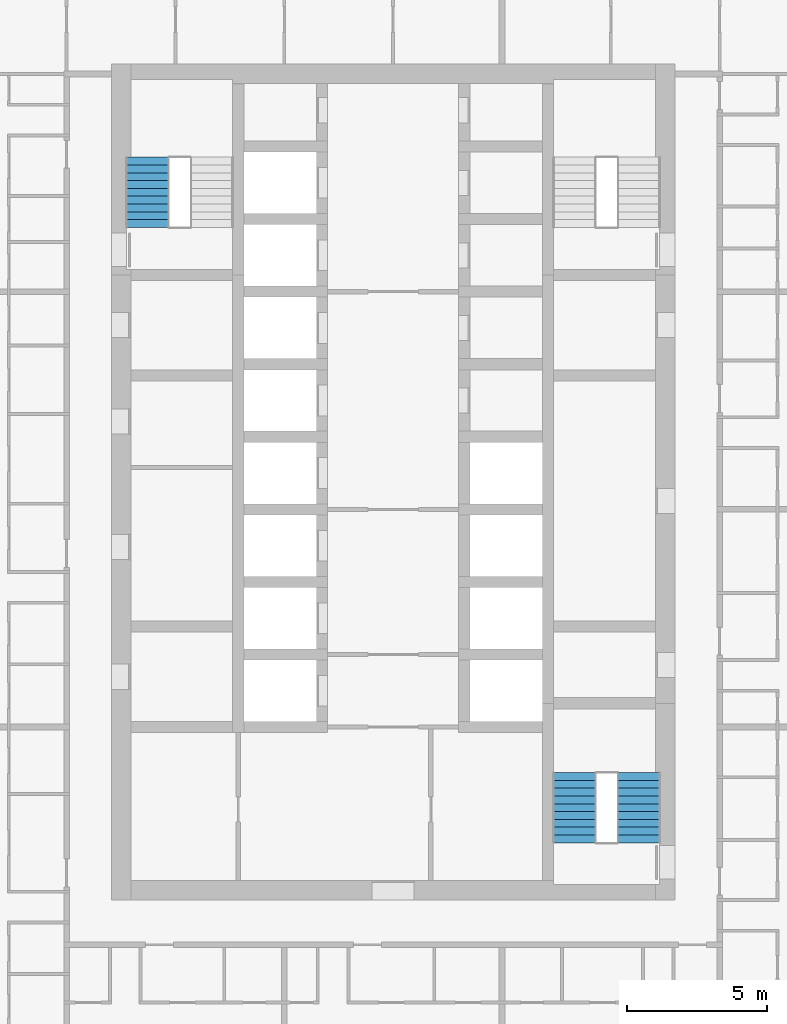
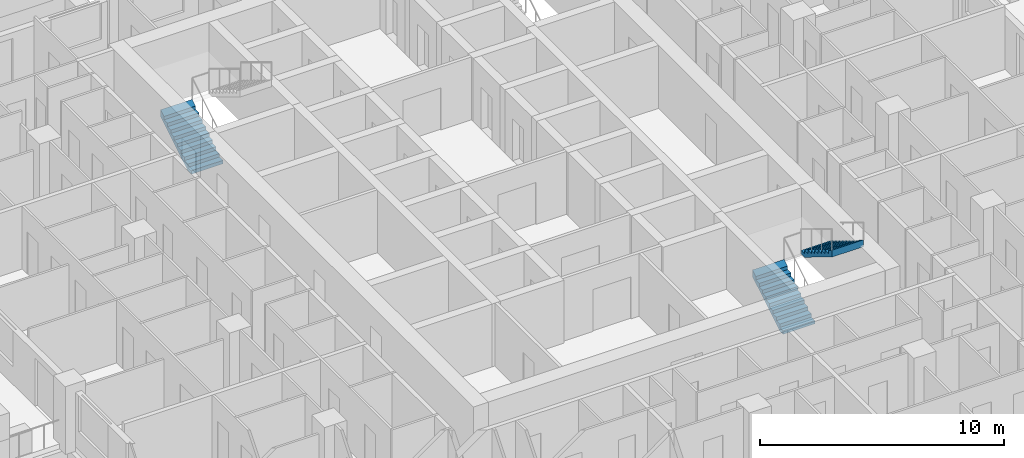
# One storey, part 15 of 18: 3 stair flights, 2 elements without a shape of their own.
"""IFC4 building model written with IfcOpenShell, lengths in metres."""

from ifc_helpers import new_model, si_unit, direction, frame, origin, place, context, subcontext, project, spatial, triangles, material, type_object, element, aggregate, save


model = new_model("IFC4")

# Units and contexts
model_context = context("Model", 3, precision=1e-05, world=origin(), true_north=direction((0.0, 1.0)))
body_context = subcontext(model_context, "Body", "Model", "MODEL_VIEW")
ifc_project = project(units=[si_unit("LENGTHUNIT", "METRE"), si_unit("AREAUNIT", "SQUARE_METRE"), si_unit("VOLUMEUNIT", "CUBIC_METRE"), si_unit("PLANEANGLEUNIT", "RADIAN"), si_unit("MASSUNIT", "GRAM", prefix="KILO")], contexts=[model_context])

# Site, building, storey
site_placement = place(None, origin())
site = spatial("IfcSite", under=ifc_project, at=site_placement, CompositionType="ELEMENT")
building_placement = place(site_placement, origin())
building = spatial("IfcBuilding", under=site, at=building_placement, Name="Ludao Terraces", CompositionType="ELEMENT")
storey_placement = place(building_placement, frame((0.0, 0.0, 75.0)))
storey = spatial("IfcBuildingStorey", under=building, at=storey_placement, Name="L20", CompositionType="ELEMENT", Elevation=75.0)

# Stair, stair flight
ifc_material = material(Name="Concrete C40", Category="concrete")
stair_type = type_object("IfcStairType", Name="INT Stair", PredefinedType="HALF_TURN_STAIR", material=ifc_material)
stair_1_placement = place(storey_placement, origin())
stair_1 = element("IfcStair", 1, at=stair_1_placement, inside=storey, type_object=stair_type, Name="EXIT STAIR 1", PredefinedType="HALF_TURN_STAIR")
stair_flight_type = type_object("IfcStairFlightType", Name="INT Stair flight", PredefinedType="STRAIGHT", material=ifc_material)
stair_flight_1_placement = place(storey_placement, frame((76.199951171875, 79.0, 0.0), z_axis=(0.0, 0.0, 1.0), x_axis=(0.0, 1.0, 0.0)))
stair_flight_1 = element("IfcStairFlight", 2, at=stair_flight_1_placement, type_object=stair_flight_type, Name="ST1 flight 1", NumberOfRisers=10, NumberOfTreads=9, PredefinedType="STRAIGHT", RiserHeight=0.17, TreadLength=0.28, context=body_context, shape_type="Tessellation", body=[
    triangles([(0.0, -0.75, 0.0), (0.0, -0.5, 0.0), (0.0, -0.25, 0.0), (0.0, 0.0, 0.0), (0.0, 0.25, 0.0), (0.0, 0.5, 0.0), (0.0, 0.75, 0.0), (0.0, -0.75, 0.169921875), (0.0, -0.5, 0.169921875), (0.0, -0.25, 0.169921875), (0.0, 0.0, 0.169921875), (0.0, 0.25, 0.169921875), (0.0, 0.5, 0.169921875), (0.0, 0.75, 0.169921875), (0.280029296875, -0.75, 0.169921875), (0.280029296875, -0.5, 0.169921875), (0.280029296875, -0.25, 0.169921875), (0.280029296875, 0.0, 0.169921875), (0.280029296875, 0.25, 0.169921875), (0.280029296875, 0.5, 0.169921875), (0.280029296875, 0.75, 0.169921875), (0.280029296875, -0.75, 0.340087890625), (0.280029296875, -0.5, 0.340087890625), (0.280029296875, -0.25, 0.340087890625), (0.280029296875, 0.0, 0.340087890625), (0.280029296875, 0.25, 0.340087890625), (0.280029296875, 0.5, 0.340087890625), (0.280029296875, 0.75, 0.340087890625), (0.56005859375, -0.75, 0.340087890625), (0.56005859375, -0.5, 0.340087890625), (0.56005859375, -0.25, 0.340087890625), (0.56005859375, 0.0, 0.340087890625), (0.56005859375, 0.25, 0.340087890625), (0.56005859375, 0.5, 0.340087890625), (0.56005859375, 0.75, 0.340087890625), (0.56005859375, -0.75, 0.510009765625), (0.56005859375, -0.5, 0.510009765625), (0.56005859375, -0.25, 0.510009765625), (0.56005859375, 0.0, 0.510009765625), (0.56005859375, 0.25, 0.510009765625), (0.56005859375, 0.5, 0.510009765625), (0.56005859375, 0.75, 0.510009765625), (0.840087890625, -0.75, 0.510009765625), (0.840087890625, -0.5, 0.510009765625), (0.840087890625, -0.25, 0.510009765625), (0.840087890625, 0.0, 0.510009765625), (0.840087890625, 0.25, 0.510009765625), (0.840087890625, 0.5, 0.510009765625), (0.840087890625, 0.75, 0.510009765625), (0.840087890625, -0.75, 0.679931640625), (0.840087890625, -0.5, 0.679931640625), (0.840087890625, -0.25, 0.679931640625), (0.840087890625, 0.0, 0.679931640625), (0.840087890625, 0.25, 0.679931640625), (0.840087890625, 0.5, 0.679931640625), (0.840087890625, 0.75, 0.679931640625), (1.1201171875, -0.75, 0.679931640625), (1.1201171875, -0.5, 0.679931640625), (1.1201171875, -0.25, 0.679931640625), (1.1201171875, 0.0, 0.679931640625), (1.1201171875, 0.25, 0.679931640625), (1.1201171875, 0.5, 0.679931640625), (1.1201171875, 0.75, 0.679931640625), (1.1201171875, -0.75, 0.85009765625), (1.1201171875, -0.5, 0.85009765625), (1.1201171875, -0.25, 0.85009765625), (1.1201171875, 0.0, 0.85009765625), (1.1201171875, 0.25, 0.85009765625), (1.1201171875, 0.5, 0.85009765625), (1.1201171875, 0.75, 0.85009765625), (1.39990234375, -0.75, 0.85009765625), (1.39990234375, -0.5, 0.85009765625), (1.39990234375, -0.25, 0.85009765625), (1.39990234375, 0.0, 0.85009765625), (1.39990234375, 0.25, 0.85009765625), (1.39990234375, 0.5, 0.85009765625), (1.39990234375, 0.75, 0.85009765625), (1.39990234375, -0.75, 1.02001953125), (1.39990234375, -0.5, 1.02001953125), (1.39990234375, -0.25, 1.02001953125), (1.39990234375, 0.0, 1.02001953125), (1.39990234375, 0.25, 1.02001953125), (1.39990234375, 0.5, 1.02001953125), (1.39990234375, 0.75, 1.02001953125), (1.679931640625, -0.75, 1.02001953125), (1.679931640625, -0.5, 1.02001953125), (1.679931640625, -0.25, 1.02001953125), (1.679931640625, 0.0, 1.02001953125), (1.679931640625, 0.25, 1.02001953125), (1.679931640625, 0.5, 1.02001953125), (1.679931640625, 0.75, 1.02001953125), (1.679931640625, -0.75, 1.18994140625), (1.679931640625, -0.5, 1.18994140625), (1.679931640625, -0.25, 1.18994140625), (1.679931640625, 0.0, 1.18994140625), (1.679931640625, 0.25, 1.18994140625), (1.679931640625, 0.5, 1.18994140625), (1.679931640625, 0.75, 1.18994140625), (1.9599609375, -0.75, 1.18994140625), (1.9599609375, -0.5, 1.18994140625), (1.9599609375, -0.25, 1.18994140625), (1.9599609375, 0.0, 1.18994140625), (1.9599609375, 0.25, 1.18994140625), (1.9599609375, 0.5, 1.18994140625), (1.9599609375, 0.75, 1.18994140625), (1.9599609375, -0.75, 1.360107421875), (1.9599609375, -0.5, 1.360107421875), (1.9599609375, -0.25, 1.360107421875), (1.9599609375, 0.0, 1.360107421875), (1.9599609375, 0.25, 1.360107421875), (1.9599609375, 0.5, 1.360107421875), (1.9599609375, 0.75, 1.360107421875), (2.239990234375, -0.75, 1.360107421875), (2.239990234375, -0.5, 1.360107421875), (2.239990234375, -0.25, 1.360107421875), (2.239990234375, 0.0, 1.360107421875), (2.239990234375, 0.25, 1.360107421875), (2.239990234375, 0.5, 1.360107421875), (2.239990234375, 0.75, 1.360107421875), (2.239990234375, -0.75, 1.530029296875), (2.239990234375, -0.5, 1.530029296875), (2.239990234375, -0.25, 1.530029296875), (2.239990234375, 0.0, 1.530029296875), (2.239990234375, 0.25, 1.530029296875), (2.239990234375, 0.5, 1.530029296875), (2.239990234375, 0.75, 1.530029296875), (2.52001953125, -0.75, 1.699951171875), (2.52001953125, -0.5, 1.699951171875), (2.52001953125, -0.25, 1.699951171875), (2.52001953125, 0.0, 1.699951171875), (2.52001953125, 0.25, 1.699951171875), (2.52001953125, 0.5, 1.699951171875), (2.52001953125, 0.75, 1.699951171875), (2.52001953125, -0.75, 1.354736328125), (2.52001953125, -0.5, 1.354736328125), (2.52001953125, -0.25, 1.354736328125), (2.52001953125, 0.0, 1.354736328125), (2.52001953125, 0.25, 1.354736328125), (2.52001953125, 0.5, 1.354736328125), (2.52001953125, 0.75, 1.354736328125), (0.288818359375, -0.75, 0.0), (0.288818359375, -0.5, 0.0), (0.288818359375, -0.25, 0.0), (0.288818359375, 0.0, 0.0), (0.288818359375, 0.25, 0.0), (0.288818359375, 0.5, 0.0), (0.288818359375, 0.75, 0.0)], [[1, 141, 134], [7, 140, 147], [134, 127, 120], [140, 126, 133], [134, 120, 113], [140, 119, 126], [134, 113, 106], [140, 112, 119], [134, 106, 99], [140, 105, 112], [99, 92, 85], [105, 91, 98], [134, 99, 85], [140, 91, 105], [85, 78, 71], [91, 77, 84], [134, 85, 71], [140, 77, 91], [71, 64, 57], [77, 63, 70], [134, 71, 57], [140, 63, 77], [57, 50, 43], [63, 49, 56], [134, 57, 43], [140, 49, 63], [43, 36, 29], [49, 35, 42], [134, 43, 29], [140, 35, 49], [29, 22, 15], [35, 21, 28], [134, 29, 15], [140, 21, 35], [1, 134, 15], [7, 21, 140], [15, 8, 1], [21, 7, 14], [1, 9, 2], [1, 8, 9], [2, 10, 3], [2, 9, 10], [3, 11, 4], [3, 10, 11], [4, 12, 5], [4, 11, 12], [5, 13, 6], [5, 12, 13], [6, 14, 7], [6, 13, 14], [8, 16, 9], [8, 15, 16], [9, 17, 10], [9, 16, 17], [10, 18, 11], [10, 17, 18], [11, 19, 12], [11, 18, 19], [12, 20, 13], [12, 19, 20], [13, 21, 14], [13, 20, 21], [15, 23, 16], [15, 22, 23], [16, 24, 17], [16, 23, 24], [17, 25, 18], [17, 24, 25], [18, 26, 19], [18, 25, 26], [19, 27, 20], [19, 26, 27], [20, 28, 21], [20, 27, 28], [22, 30, 23], [22, 29, 30], [23, 31, 24], [23, 30, 31], [24, 32, 25], [24, 31, 32], [25, 33, 26], [25, 32, 33], [26, 34, 27], [26, 33, 34], [27, 35, 28], [27, 34, 35], [29, 37, 30], [29, 36, 37], [30, 38, 31], [30, 37, 38], [31, 39, 32], [31, 38, 39], [32, 40, 33], [32, 39, 40], [33, 41, 34], [33, 40, 41], [34, 42, 35], [34, 41, 42], [36, 44, 37], [36, 43, 44], [37, 45, 38], [37, 44, 45], [38, 46, 39], [38, 45, 46], [39, 47, 40], [39, 46, 47], [40, 48, 41], [40, 47, 48], [41, 49, 42], [41, 48, 49], [43, 51, 44], [43, 50, 51], [44, 52, 45], [44, 51, 52], [45, 53, 46], [45, 52, 53], [46, 54, 47], [46, 53, 54], [47, 55, 48], [47, 54, 55], [48, 56, 49], [48, 55, 56], [50, 58, 51], [50, 57, 58], [51, 59, 52], [51, 58, 59], [52, 60, 53], [52, 59, 60], [53, 61, 54], [53, 60, 61], [54, 62, 55], [54, 61, 62], [55, 63, 56], [55, 62, 63], [57, 65, 58], [57, 64, 65], [58, 66, 59], [58, 65, 66], [59, 67, 60], [59, 66, 67], [60, 68, 61], [60, 67, 68], [61, 69, 62], [61, 68, 69], [62, 70, 63], [62, 69, 70], [64, 72, 65], [64, 71, 72], [65, 73, 66], [65, 72, 73], [66, 74, 67], [66, 73, 74], [67, 75, 68], [67, 74, 75], [68, 76, 69], [68, 75, 76], [69, 77, 70], [69, 76, 77], [71, 79, 72], [71, 78, 79], [72, 80, 73], [72, 79, 80], [73, 81, 74], [73, 80, 81], [74, 82, 75], [74, 81, 82], [75, 83, 76], [75, 82, 83], [76, 84, 77], [76, 83, 84], [78, 86, 79], [78, 85, 86], [79, 87, 80], [79, 86, 87], [80, 88, 81], [80, 87, 88], [81, 89, 82], [81, 88, 89], [82, 90, 83], [82, 89, 90], [83, 91, 84], [83, 90, 91], [85, 93, 86], [85, 92, 93], [86, 94, 87], [86, 93, 94], [87, 95, 88], [87, 94, 95], [88, 96, 89], [88, 95, 96], [89, 97, 90], [89, 96, 97], [90, 98, 91], [90, 97, 98], [92, 100, 93], [92, 99, 100], [93, 101, 94], [93, 100, 101], [94, 102, 95], [94, 101, 102], [95, 103, 96], [95, 102, 103], [96, 104, 97], [96, 103, 104], [97, 105, 98], [97, 104, 105], [99, 107, 100], [99, 106, 107], [100, 108, 101], [100, 107, 108], [101, 109, 102], [101, 108, 109], [102, 110, 103], [102, 109, 110], [103, 111, 104], [103, 110, 111], [104, 112, 105], [104, 111, 112], [106, 114, 107], [106, 113, 114], [107, 115, 108], [107, 114, 115], [108, 116, 109], [108, 115, 116], [109, 117, 110], [109, 116, 117], [110, 118, 111], [110, 117, 118], [111, 119, 112], [111, 118, 119], [113, 121, 114], [113, 120, 121], [114, 122, 115], [114, 121, 122], [115, 123, 116], [115, 122, 123], [116, 124, 117], [116, 123, 124], [117, 125, 118], [117, 124, 125], [118, 126, 119], [118, 125, 126], [120, 128, 121], [120, 127, 128], [121, 129, 122], [121, 128, 129], [122, 130, 123], [122, 129, 130], [123, 131, 124], [123, 130, 131], [124, 132, 125], [124, 131, 132], [125, 133, 126], [125, 132, 133], [127, 135, 128], [127, 134, 135], [128, 136, 129], [128, 135, 136], [129, 137, 130], [129, 136, 137], [130, 138, 131], [130, 137, 138], [131, 139, 132], [131, 138, 139], [132, 140, 133], [132, 139, 140], [134, 142, 135], [134, 141, 142], [135, 143, 136], [135, 142, 143], [136, 144, 137], [136, 143, 144], [137, 145, 138], [137, 144, 145], [138, 146, 139], [138, 145, 146], [139, 147, 140], [139, 146, 147], [141, 2, 142], [141, 1, 2], [142, 3, 143], [142, 2, 3], [143, 4, 144], [143, 3, 4], [144, 5, 145], [144, 4, 5], [145, 6, 146], [145, 5, 6], [146, 7, 147], [146, 6, 7]], closed=True),
])
aggregate(stair_1, [stair_flight_1])

# Stair, stair flights
stair_2_placement = place(storey_placement, origin())
stair_2 = element("IfcStair", 3, at=stair_2_placement, inside=storey, type_object=stair_type, Name="EXIT STAIR 3", PredefinedType="HALF_TURN_STAIR")
stair_flight_2_placement = place(storey_placement, frame((91.5, 56.949951171875, 0.0), z_axis=(0.0, 0.0, 1.0), x_axis=(0.0, 1.0, 0.0)))
stair_flight_2 = element("IfcStairFlight", 4, at=stair_flight_2_placement, type_object=stair_flight_type, Name="ST3 flight 1", NumberOfRisers=10, NumberOfTreads=9, PredefinedType="STRAIGHT", RiserHeight=0.17, TreadLength=0.28, context=body_context, shape_type="Tessellation", body=[
    triangles([(0.0, -0.75, 0.0), (0.0, -0.5, 0.0), (0.0, -0.25, 0.0), (0.0, 0.0, 0.0), (0.0, 0.25, 0.0), (0.0, 0.5, 0.0), (0.0, 0.75, 0.0), (0.0, -0.75, 0.169921875), (0.0, -0.5, 0.169921875), (0.0, -0.25, 0.169921875), (0.0, 0.0, 0.169921875), (0.0, 0.25, 0.169921875), (0.0, 0.5, 0.169921875), (0.0, 0.75, 0.169921875), (0.280029296875, -0.75, 0.169921875), (0.280029296875, -0.5, 0.169921875), (0.280029296875, -0.25, 0.169921875), (0.280029296875, 0.0, 0.169921875), (0.280029296875, 0.25, 0.169921875), (0.280029296875, 0.5, 0.169921875), (0.280029296875, 0.75, 0.169921875), (0.280029296875, -0.75, 0.340087890625), (0.280029296875, -0.5, 0.340087890625), (0.280029296875, -0.25, 0.340087890625), (0.280029296875, 0.0, 0.340087890625), (0.280029296875, 0.25, 0.340087890625), (0.280029296875, 0.5, 0.340087890625), (0.280029296875, 0.75, 0.340087890625), (0.56005859375, -0.75, 0.340087890625), (0.56005859375, -0.5, 0.340087890625), (0.56005859375, -0.25, 0.340087890625), (0.56005859375, 0.0, 0.340087890625), (0.56005859375, 0.25, 0.340087890625), (0.56005859375, 0.5, 0.340087890625), (0.56005859375, 0.75, 0.340087890625), (0.56005859375, -0.75, 0.510009765625), (0.56005859375, -0.5, 0.510009765625), (0.56005859375, -0.25, 0.510009765625), (0.56005859375, 0.0, 0.510009765625), (0.56005859375, 0.25, 0.510009765625), (0.56005859375, 0.5, 0.510009765625), (0.56005859375, 0.75, 0.510009765625), (0.840087890625, -0.75, 0.510009765625), (0.840087890625, -0.5, 0.510009765625), (0.840087890625, -0.25, 0.510009765625), (0.840087890625, 0.0, 0.510009765625), (0.840087890625, 0.25, 0.510009765625), (0.840087890625, 0.5, 0.510009765625), (0.840087890625, 0.75, 0.510009765625), (0.840087890625, -0.75, 0.679931640625), (0.840087890625, -0.5, 0.679931640625), (0.840087890625, -0.25, 0.679931640625), (0.840087890625, 0.0, 0.679931640625), (0.840087890625, 0.25, 0.679931640625), (0.840087890625, 0.5, 0.679931640625), (0.840087890625, 0.75, 0.679931640625), (1.1201171875, -0.75, 0.679931640625), (1.1201171875, -0.5, 0.679931640625), (1.1201171875, -0.25, 0.679931640625), (1.1201171875, 0.0, 0.679931640625), (1.1201171875, 0.25, 0.679931640625), (1.1201171875, 0.5, 0.679931640625), (1.1201171875, 0.75, 0.679931640625), (1.1201171875, -0.75, 0.85009765625), (1.1201171875, -0.5, 0.85009765625), (1.1201171875, -0.25, 0.85009765625), (1.1201171875, 0.0, 0.85009765625), (1.1201171875, 0.25, 0.85009765625), (1.1201171875, 0.5, 0.85009765625), (1.1201171875, 0.75, 0.85009765625), (1.39990234375, -0.75, 0.85009765625), (1.39990234375, -0.5, 0.85009765625), (1.39990234375, -0.25, 0.85009765625), (1.39990234375, 0.0, 0.85009765625), (1.39990234375, 0.25, 0.85009765625), (1.39990234375, 0.5, 0.85009765625), (1.39990234375, 0.75, 0.85009765625), (1.39990234375, -0.75, 1.02001953125), (1.39990234375, -0.5, 1.02001953125), (1.39990234375, -0.25, 1.02001953125), (1.39990234375, 0.0, 1.02001953125), (1.39990234375, 0.25, 1.02001953125), (1.39990234375, 0.5, 1.02001953125), (1.39990234375, 0.75, 1.02001953125), (1.679931640625, -0.75, 1.02001953125), (1.679931640625, -0.5, 1.02001953125), (1.679931640625, -0.25, 1.02001953125), (1.679931640625, 0.0, 1.02001953125), (1.679931640625, 0.25, 1.02001953125), (1.679931640625, 0.5, 1.02001953125), (1.679931640625, 0.75, 1.02001953125), (1.679931640625, -0.75, 1.18994140625), (1.679931640625, -0.5, 1.18994140625), (1.679931640625, -0.25, 1.18994140625), (1.679931640625, 0.0, 1.18994140625), (1.679931640625, 0.25, 1.18994140625), (1.679931640625, 0.5, 1.18994140625), (1.679931640625, 0.75, 1.18994140625), (1.9599609375, -0.75, 1.18994140625), (1.9599609375, -0.5, 1.18994140625), (1.9599609375, -0.25, 1.18994140625), (1.9599609375, 0.0, 1.18994140625), (1.9599609375, 0.25, 1.18994140625), (1.9599609375, 0.5, 1.18994140625), (1.9599609375, 0.75, 1.18994140625), (1.9599609375, -0.75, 1.360107421875), (1.9599609375, -0.5, 1.360107421875), (1.9599609375, -0.25, 1.360107421875), (1.9599609375, 0.0, 1.360107421875), (1.9599609375, 0.25, 1.360107421875), (1.9599609375, 0.5, 1.360107421875), (1.9599609375, 0.75, 1.360107421875), (2.239990234375, -0.75, 1.360107421875), (2.239990234375, -0.5, 1.360107421875), (2.239990234375, -0.25, 1.360107421875), (2.239990234375, 0.0, 1.360107421875), (2.239990234375, 0.25, 1.360107421875), (2.239990234375, 0.5, 1.360107421875), (2.239990234375, 0.75, 1.360107421875), (2.239990234375, -0.75, 1.530029296875), (2.239990234375, -0.5, 1.530029296875), (2.239990234375, -0.25, 1.530029296875), (2.239990234375, 0.0, 1.530029296875), (2.239990234375, 0.25, 1.530029296875), (2.239990234375, 0.5, 1.530029296875), (2.239990234375, 0.75, 1.530029296875), (2.52001953125, -0.75, 1.699951171875), (2.52001953125, -0.5, 1.699951171875), (2.52001953125, -0.25, 1.699951171875), (2.52001953125, 0.0, 1.699951171875), (2.52001953125, 0.25, 1.699951171875), (2.52001953125, 0.5, 1.699951171875), (2.52001953125, 0.75, 1.699951171875), (2.52001953125, -0.75, 1.354736328125), (2.52001953125, -0.5, 1.354736328125), (2.52001953125, -0.25, 1.354736328125), (2.52001953125, 0.0, 1.354736328125), (2.52001953125, 0.25, 1.354736328125), (2.52001953125, 0.5, 1.354736328125), (2.52001953125, 0.75, 1.354736328125), (0.288818359375, -0.75, 0.0), (0.288818359375, -0.5, 0.0), (0.288818359375, -0.25, 0.0), (0.288818359375, 0.0, 0.0), (0.288818359375, 0.25, 0.0), (0.288818359375, 0.5, 0.0), (0.288818359375, 0.75, 0.0)], [[1, 141, 134], [7, 140, 147], [134, 127, 120], [140, 126, 133], [134, 120, 113], [140, 119, 126], [134, 113, 106], [140, 112, 119], [134, 106, 99], [140, 105, 112], [99, 92, 85], [105, 91, 98], [134, 99, 85], [140, 91, 105], [85, 78, 71], [91, 77, 84], [134, 85, 71], [140, 77, 91], [71, 64, 57], [77, 63, 70], [134, 71, 57], [140, 63, 77], [57, 50, 43], [63, 49, 56], [134, 57, 43], [140, 49, 63], [43, 36, 29], [49, 35, 42], [134, 43, 29], [140, 35, 49], [29, 22, 15], [35, 21, 28], [134, 29, 15], [140, 21, 35], [1, 134, 15], [7, 21, 140], [15, 8, 1], [21, 7, 14], [1, 9, 2], [1, 8, 9], [2, 10, 3], [2, 9, 10], [3, 11, 4], [3, 10, 11], [4, 12, 5], [4, 11, 12], [5, 13, 6], [5, 12, 13], [6, 14, 7], [6, 13, 14], [8, 16, 9], [8, 15, 16], [9, 17, 10], [9, 16, 17], [10, 18, 11], [10, 17, 18], [11, 19, 12], [11, 18, 19], [12, 20, 13], [12, 19, 20], [13, 21, 14], [13, 20, 21], [15, 23, 16], [15, 22, 23], [16, 24, 17], [16, 23, 24], [17, 25, 18], [17, 24, 25], [18, 26, 19], [18, 25, 26], [19, 27, 20], [19, 26, 27], [20, 28, 21], [20, 27, 28], [22, 30, 23], [22, 29, 30], [23, 31, 24], [23, 30, 31], [24, 32, 25], [24, 31, 32], [25, 33, 26], [25, 32, 33], [26, 34, 27], [26, 33, 34], [27, 35, 28], [27, 34, 35], [29, 37, 30], [29, 36, 37], [30, 38, 31], [30, 37, 38], [31, 39, 32], [31, 38, 39], [32, 40, 33], [32, 39, 40], [33, 41, 34], [33, 40, 41], [34, 42, 35], [34, 41, 42], [36, 44, 37], [36, 43, 44], [37, 45, 38], [37, 44, 45], [38, 46, 39], [38, 45, 46], [39, 47, 40], [39, 46, 47], [40, 48, 41], [40, 47, 48], [41, 49, 42], [41, 48, 49], [43, 51, 44], [43, 50, 51], [44, 52, 45], [44, 51, 52], [45, 53, 46], [45, 52, 53], [46, 54, 47], [46, 53, 54], [47, 55, 48], [47, 54, 55], [48, 56, 49], [48, 55, 56], [50, 58, 51], [50, 57, 58], [51, 59, 52], [51, 58, 59], [52, 60, 53], [52, 59, 60], [53, 61, 54], [53, 60, 61], [54, 62, 55], [54, 61, 62], [55, 63, 56], [55, 62, 63], [57, 65, 58], [57, 64, 65], [58, 66, 59], [58, 65, 66], [59, 67, 60], [59, 66, 67], [60, 68, 61], [60, 67, 68], [61, 69, 62], [61, 68, 69], [62, 70, 63], [62, 69, 70], [64, 72, 65], [64, 71, 72], [65, 73, 66], [65, 72, 73], [66, 74, 67], [66, 73, 74], [67, 75, 68], [67, 74, 75], [68, 76, 69], [68, 75, 76], [69, 77, 70], [69, 76, 77], [71, 79, 72], [71, 78, 79], [72, 80, 73], [72, 79, 80], [73, 81, 74], [73, 80, 81], [74, 82, 75], [74, 81, 82], [75, 83, 76], [75, 82, 83], [76, 84, 77], [76, 83, 84], [78, 86, 79], [78, 85, 86], [79, 87, 80], [79, 86, 87], [80, 88, 81], [80, 87, 88], [81, 89, 82], [81, 88, 89], [82, 90, 83], [82, 89, 90], [83, 91, 84], [83, 90, 91], [85, 93, 86], [85, 92, 93], [86, 94, 87], [86, 93, 94], [87, 95, 88], [87, 94, 95], [88, 96, 89], [88, 95, 96], [89, 97, 90], [89, 96, 97], [90, 98, 91], [90, 97, 98], [92, 100, 93], [92, 99, 100], [93, 101, 94], [93, 100, 101], [94, 102, 95], [94, 101, 102], [95, 103, 96], [95, 102, 103], [96, 104, 97], [96, 103, 104], [97, 105, 98], [97, 104, 105], [99, 107, 100], [99, 106, 107], [100, 108, 101], [100, 107, 108], [101, 109, 102], [101, 108, 109], [102, 110, 103], [102, 109, 110], [103, 111, 104], [103, 110, 111], [104, 112, 105], [104, 111, 112], [106, 114, 107], [106, 113, 114], [107, 115, 108], [107, 114, 115], [108, 116, 109], [108, 115, 116], [109, 117, 110], [109, 116, 117], [110, 118, 111], [110, 117, 118], [111, 119, 112], [111, 118, 119], [113, 121, 114], [113, 120, 121], [114, 122, 115], [114, 121, 122], [115, 123, 116], [115, 122, 123], [116, 124, 117], [116, 123, 124], [117, 125, 118], [117, 124, 125], [118, 126, 119], [118, 125, 126], [120, 128, 121], [120, 127, 128], [121, 129, 122], [121, 128, 129], [122, 130, 123], [122, 129, 130], [123, 131, 124], [123, 130, 131], [124, 132, 125], [124, 131, 132], [125, 133, 126], [125, 132, 133], [127, 135, 128], [127, 134, 135], [128, 136, 129], [128, 135, 136], [129, 137, 130], [129, 136, 137], [130, 138, 131], [130, 137, 138], [131, 139, 132], [131, 138, 139], [132, 140, 133], [132, 139, 140], [134, 142, 135], [134, 141, 142], [135, 143, 136], [135, 142, 143], [136, 144, 137], [136, 143, 144], [137, 145, 138], [137, 144, 145], [138, 146, 139], [138, 145, 146], [139, 147, 140], [139, 146, 147], [141, 2, 142], [141, 1, 2], [142, 3, 143], [142, 2, 3], [143, 4, 144], [143, 3, 4], [144, 5, 145], [144, 4, 5], [145, 6, 146], [145, 5, 6], [146, 7, 147], [146, 6, 7]], closed=True),
])
stair_flight_3_placement = place(storey_placement, frame((93.800048828125, 59.469970703125, 1.699951171875), z_axis=(0.0, 0.0, 1.0), x_axis=(0.0, -1.0, 0.0)))
stair_flight_3 = element("IfcStairFlight", 5, at=stair_flight_3_placement, type_object=stair_flight_type, Name="ST3 flight 2", NumberOfRisers=10, NumberOfTreads=9, PredefinedType="STRAIGHT", RiserHeight=0.17, TreadLength=0.28, context=body_context, shape_type="Tessellation", body=[
    triangles([(0.0, -0.75, 0.0), (0.0, -0.5, 0.0), (0.0, -0.25, 0.0), (0.0, 0.0, 0.0), (0.0, 0.25, 0.0), (0.0, 0.5, 0.0), (0.0, 0.75, 0.0), (0.0, -0.75, 0.169921875), (0.0, -0.5, 0.169921875), (0.0, -0.25, 0.169921875), (0.0, 0.0, 0.169921875), (0.0, 0.25, 0.169921875), (0.0, 0.5, 0.169921875), (0.0, 0.75, 0.169921875), (0.280029296875, -0.75, 0.169921875), (0.280029296875, -0.5, 0.169921875), (0.280029296875, -0.25, 0.169921875), (0.280029296875, 0.0, 0.169921875), (0.280029296875, 0.25, 0.169921875), (0.280029296875, 0.5, 0.169921875), (0.280029296875, 0.75, 0.169921875), (0.280029296875, -0.75, 0.340087890625), (0.280029296875, -0.5, 0.340087890625), (0.280029296875, -0.25, 0.340087890625), (0.280029296875, 0.0, 0.340087890625), (0.280029296875, 0.25, 0.340087890625), (0.280029296875, 0.5, 0.340087890625), (0.280029296875, 0.75, 0.340087890625), (0.56005859375, -0.75, 0.340087890625), (0.56005859375, -0.5, 0.340087890625), (0.56005859375, -0.25, 0.340087890625), (0.56005859375, 0.0, 0.340087890625), (0.56005859375, 0.25, 0.340087890625), (0.56005859375, 0.5, 0.340087890625), (0.56005859375, 0.75, 0.340087890625), (0.56005859375, -0.75, 0.510009765625), (0.56005859375, -0.5, 0.510009765625), (0.56005859375, -0.25, 0.510009765625), (0.56005859375, 0.0, 0.510009765625), (0.56005859375, 0.25, 0.510009765625), (0.56005859375, 0.5, 0.510009765625), (0.56005859375, 0.75, 0.510009765625), (0.840087890625, -0.75, 0.510009765625), (0.840087890625, -0.5, 0.510009765625), (0.840087890625, -0.25, 0.510009765625), (0.840087890625, 0.0, 0.510009765625), (0.840087890625, 0.25, 0.510009765625), (0.840087890625, 0.5, 0.510009765625), (0.840087890625, 0.75, 0.510009765625), (0.840087890625, -0.75, 0.679931640625), (0.840087890625, -0.5, 0.679931640625), (0.840087890625, -0.25, 0.679931640625), (0.840087890625, 0.0, 0.679931640625), (0.840087890625, 0.25, 0.679931640625), (0.840087890625, 0.5, 0.679931640625), (0.840087890625, 0.75, 0.679931640625), (1.1201171875, -0.75, 0.679931640625), (1.1201171875, -0.5, 0.679931640625), (1.1201171875, -0.25, 0.679931640625), (1.1201171875, 0.0, 0.679931640625), (1.1201171875, 0.25, 0.679931640625), (1.1201171875, 0.5, 0.679931640625), (1.1201171875, 0.75, 0.679931640625), (1.1201171875, -0.75, 0.85009765625), (1.1201171875, -0.5, 0.85009765625), (1.1201171875, -0.25, 0.85009765625), (1.1201171875, 0.0, 0.85009765625), (1.1201171875, 0.25, 0.85009765625), (1.1201171875, 0.5, 0.85009765625), (1.1201171875, 0.75, 0.85009765625), (1.39990234375, -0.75, 0.85009765625), (1.39990234375, -0.5, 0.85009765625), (1.39990234375, -0.25, 0.85009765625), (1.39990234375, 0.0, 0.85009765625), (1.39990234375, 0.25, 0.85009765625), (1.39990234375, 0.5, 0.85009765625), (1.39990234375, 0.75, 0.85009765625), (1.39990234375, -0.75, 1.02001953125), (1.39990234375, -0.5, 1.02001953125), (1.39990234375, -0.25, 1.02001953125), (1.39990234375, 0.0, 1.02001953125), (1.39990234375, 0.25, 1.02001953125), (1.39990234375, 0.5, 1.02001953125), (1.39990234375, 0.75, 1.02001953125), (1.679931640625, -0.75, 1.02001953125), (1.679931640625, -0.5, 1.02001953125), (1.679931640625, -0.25, 1.02001953125), (1.679931640625, 0.0, 1.02001953125), (1.679931640625, 0.25, 1.02001953125), (1.679931640625, 0.5, 1.02001953125), (1.679931640625, 0.75, 1.02001953125), (1.679931640625, -0.75, 1.18994140625), (1.679931640625, -0.5, 1.18994140625), (1.679931640625, -0.25, 1.18994140625), (1.679931640625, 0.0, 1.18994140625), (1.679931640625, 0.25, 1.18994140625), (1.679931640625, 0.5, 1.18994140625), (1.679931640625, 0.75, 1.18994140625), (1.9599609375, -0.75, 1.18994140625), (1.9599609375, -0.5, 1.18994140625), (1.9599609375, -0.25, 1.18994140625), (1.9599609375, 0.0, 1.18994140625), (1.9599609375, 0.25, 1.18994140625), (1.9599609375, 0.5, 1.18994140625), (1.9599609375, 0.75, 1.18994140625), (1.9599609375, -0.75, 1.360107421875), (1.9599609375, -0.5, 1.360107421875), (1.9599609375, -0.25, 1.360107421875), (1.9599609375, 0.0, 1.360107421875), (1.9599609375, 0.25, 1.360107421875), (1.9599609375, 0.5, 1.360107421875), (1.9599609375, 0.75, 1.360107421875), (2.239990234375, -0.75, 1.360107421875), (2.239990234375, -0.5, 1.360107421875), (2.239990234375, -0.25, 1.360107421875), (2.239990234375, 0.0, 1.360107421875), (2.239990234375, 0.25, 1.360107421875), (2.239990234375, 0.5, 1.360107421875), (2.239990234375, 0.75, 1.360107421875), (2.239990234375, -0.75, 1.530029296875), (2.239990234375, -0.5, 1.530029296875), (2.239990234375, -0.25, 1.530029296875), (2.239990234375, 0.0, 1.530029296875), (2.239990234375, 0.25, 1.530029296875), (2.239990234375, 0.5, 1.530029296875), (2.239990234375, 0.75, 1.530029296875), (2.52001953125, -0.75, 1.699951171875), (2.52001953125, -0.5, 1.699951171875), (2.52001953125, -0.25, 1.699951171875), (2.52001953125, 0.0, 1.699951171875), (2.52001953125, 0.25, 1.699951171875), (2.52001953125, 0.5, 1.699951171875), (2.52001953125, 0.75, 1.699951171875), (2.52001953125, -0.75, 1.354736328125), (2.52001953125, -0.5, 1.354736328125), (2.52001953125, -0.25, 1.354736328125), (2.52001953125, 0.0, 1.354736328125), (2.52001953125, 0.25, 1.354736328125), (2.52001953125, 0.5, 1.354736328125), (2.52001953125, 0.75, 1.354736328125), (0.288818359375, -0.75, 0.0), (0.288818359375, -0.5, 0.0), (0.288818359375, -0.25, 0.0), (0.288818359375, 0.0, 0.0), (0.288818359375, 0.25, 0.0), (0.288818359375, 0.5, 0.0), (0.288818359375, 0.75, 0.0)], [[1, 141, 134], [7, 140, 147], [134, 127, 120], [140, 126, 133], [134, 120, 113], [140, 119, 126], [134, 113, 106], [140, 112, 119], [134, 106, 99], [140, 105, 112], [99, 92, 85], [105, 91, 98], [134, 99, 85], [140, 91, 105], [85, 78, 71], [91, 77, 84], [134, 85, 71], [140, 77, 91], [71, 64, 57], [77, 63, 70], [134, 71, 57], [140, 63, 77], [57, 50, 43], [63, 49, 56], [134, 57, 43], [140, 49, 63], [43, 36, 29], [49, 35, 42], [134, 43, 29], [140, 35, 49], [29, 22, 15], [35, 21, 28], [134, 29, 15], [140, 21, 35], [1, 134, 15], [7, 21, 140], [15, 8, 1], [21, 7, 14], [1, 9, 2], [1, 8, 9], [2, 10, 3], [2, 9, 10], [3, 11, 4], [3, 10, 11], [4, 12, 5], [4, 11, 12], [5, 13, 6], [5, 12, 13], [6, 14, 7], [6, 13, 14], [8, 16, 9], [8, 15, 16], [9, 17, 10], [9, 16, 17], [10, 18, 11], [10, 17, 18], [11, 19, 12], [11, 18, 19], [12, 20, 13], [12, 19, 20], [13, 21, 14], [13, 20, 21], [15, 23, 16], [15, 22, 23], [16, 24, 17], [16, 23, 24], [17, 25, 18], [17, 24, 25], [18, 26, 19], [18, 25, 26], [19, 27, 20], [19, 26, 27], [20, 28, 21], [20, 27, 28], [22, 30, 23], [22, 29, 30], [23, 31, 24], [23, 30, 31], [24, 32, 25], [24, 31, 32], [25, 33, 26], [25, 32, 33], [26, 34, 27], [26, 33, 34], [27, 35, 28], [27, 34, 35], [29, 37, 30], [29, 36, 37], [30, 38, 31], [30, 37, 38], [31, 39, 32], [31, 38, 39], [32, 40, 33], [32, 39, 40], [33, 41, 34], [33, 40, 41], [34, 42, 35], [34, 41, 42], [36, 44, 37], [36, 43, 44], [37, 45, 38], [37, 44, 45], [38, 46, 39], [38, 45, 46], [39, 47, 40], [39, 46, 47], [40, 48, 41], [40, 47, 48], [41, 49, 42], [41, 48, 49], [43, 51, 44], [43, 50, 51], [44, 52, 45], [44, 51, 52], [45, 53, 46], [45, 52, 53], [46, 54, 47], [46, 53, 54], [47, 55, 48], [47, 54, 55], [48, 56, 49], [48, 55, 56], [50, 58, 51], [50, 57, 58], [51, 59, 52], [51, 58, 59], [52, 60, 53], [52, 59, 60], [53, 61, 54], [53, 60, 61], [54, 62, 55], [54, 61, 62], [55, 63, 56], [55, 62, 63], [57, 65, 58], [57, 64, 65], [58, 66, 59], [58, 65, 66], [59, 67, 60], [59, 66, 67], [60, 68, 61], [60, 67, 68], [61, 69, 62], [61, 68, 69], [62, 70, 63], [62, 69, 70], [64, 72, 65], [64, 71, 72], [65, 73, 66], [65, 72, 73], [66, 74, 67], [66, 73, 74], [67, 75, 68], [67, 74, 75], [68, 76, 69], [68, 75, 76], [69, 77, 70], [69, 76, 77], [71, 79, 72], [71, 78, 79], [72, 80, 73], [72, 79, 80], [73, 81, 74], [73, 80, 81], [74, 82, 75], [74, 81, 82], [75, 83, 76], [75, 82, 83], [76, 84, 77], [76, 83, 84], [78, 86, 79], [78, 85, 86], [79, 87, 80], [79, 86, 87], [80, 88, 81], [80, 87, 88], [81, 89, 82], [81, 88, 89], [82, 90, 83], [82, 89, 90], [83, 91, 84], [83, 90, 91], [85, 93, 86], [85, 92, 93], [86, 94, 87], [86, 93, 94], [87, 95, 88], [87, 94, 95], [88, 96, 89], [88, 95, 96], [89, 97, 90], [89, 96, 97], [90, 98, 91], [90, 97, 98], [92, 100, 93], [92, 99, 100], [93, 101, 94], [93, 100, 101], [94, 102, 95], [94, 101, 102], [95, 103, 96], [95, 102, 103], [96, 104, 97], [96, 103, 104], [97, 105, 98], [97, 104, 105], [99, 107, 100], [99, 106, 107], [100, 108, 101], [100, 107, 108], [101, 109, 102], [101, 108, 109], [102, 110, 103], [102, 109, 110], [103, 111, 104], [103, 110, 111], [104, 112, 105], [104, 111, 112], [106, 114, 107], [106, 113, 114], [107, 115, 108], [107, 114, 115], [108, 116, 109], [108, 115, 116], [109, 117, 110], [109, 116, 117], [110, 118, 111], [110, 117, 118], [111, 119, 112], [111, 118, 119], [113, 121, 114], [113, 120, 121], [114, 122, 115], [114, 121, 122], [115, 123, 116], [115, 122, 123], [116, 124, 117], [116, 123, 124], [117, 125, 118], [117, 124, 125], [118, 126, 119], [118, 125, 126], [120, 128, 121], [120, 127, 128], [121, 129, 122], [121, 128, 129], [122, 130, 123], [122, 129, 130], [123, 131, 124], [123, 130, 131], [124, 132, 125], [124, 131, 132], [125, 133, 126], [125, 132, 133], [127, 135, 128], [127, 134, 135], [128, 136, 129], [128, 135, 136], [129, 137, 130], [129, 136, 137], [130, 138, 131], [130, 137, 138], [131, 139, 132], [131, 138, 139], [132, 140, 133], [132, 139, 140], [134, 142, 135], [134, 141, 142], [135, 143, 136], [135, 142, 143], [136, 144, 137], [136, 143, 144], [137, 145, 138], [137, 144, 145], [138, 146, 139], [138, 145, 146], [139, 147, 140], [139, 146, 147], [141, 2, 142], [141, 1, 2], [142, 3, 143], [142, 2, 3], [143, 4, 144], [143, 3, 4], [144, 5, 145], [144, 4, 5], [145, 6, 146], [145, 5, 6], [146, 7, 147], [146, 6, 7]], closed=True),
])
aggregate(stair_2, [stair_flight_2, stair_flight_3])

save(model, "model.ifc")
